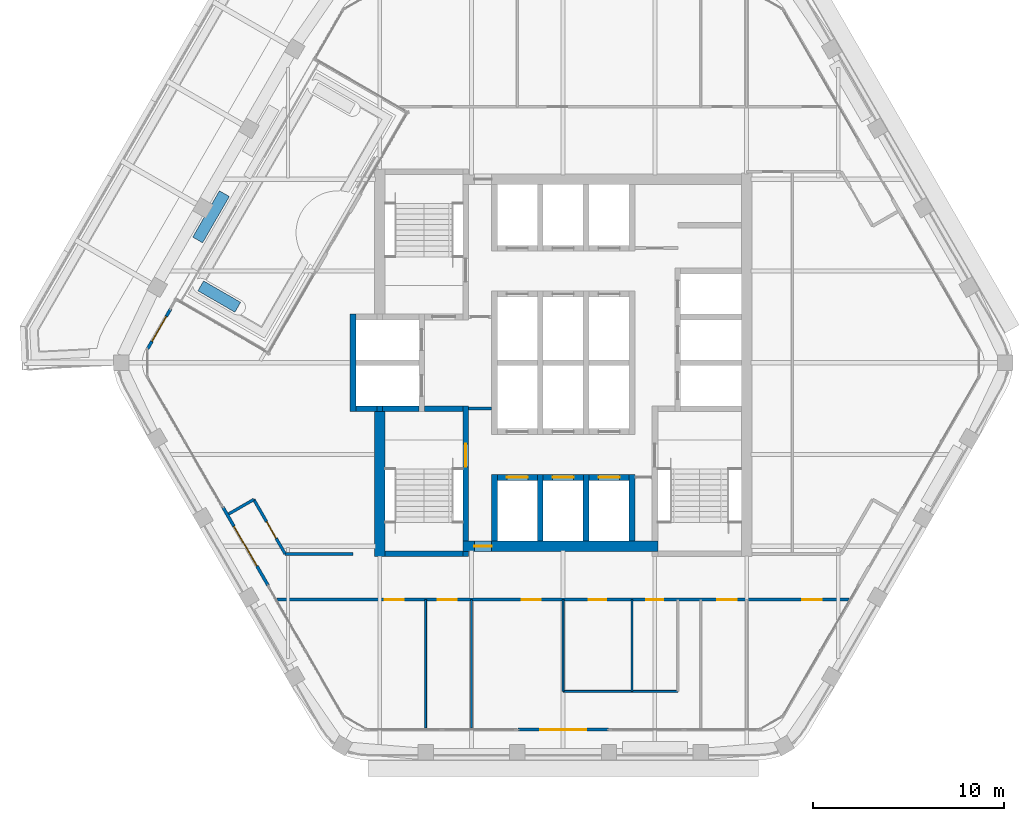
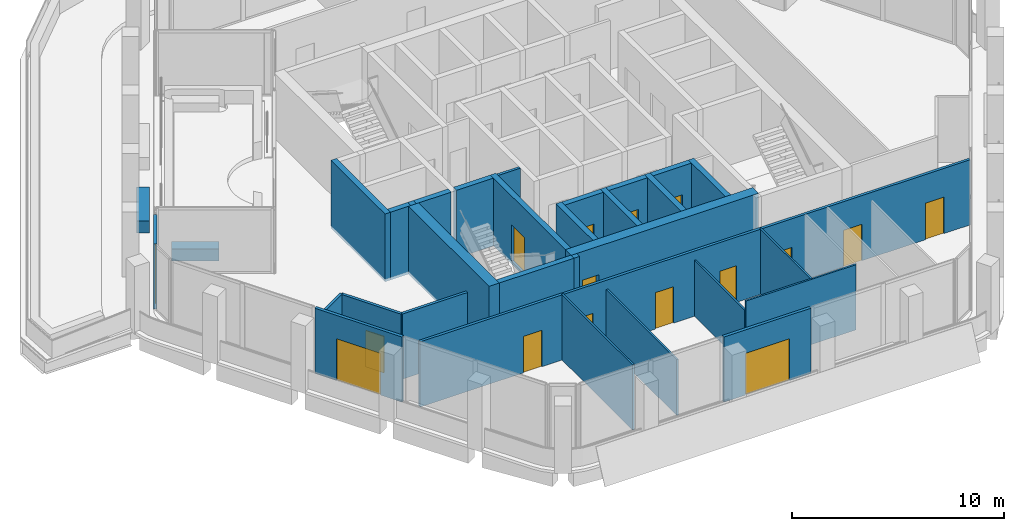
# One storey, part 10 of 16: 32 walls, 16 doors, 16 openings.
"""IFC4 building model written with IfcOpenShell, lengths in metres."""

from ifc_helpers import new_model, si_unit, direction, frame, frame_2d, origin, place, context, subcontext, project, spatial, rectangle, extrude, material, layer, layer_set, type_object, element, fill, save


model = new_model("IFC4")

# Units and contexts
model_context = context("Model", 3, precision=1e-05, world=origin(), true_north=direction((0.0, 1.0)))
body_context = subcontext(model_context, "Body", "Model", "MODEL_VIEW")
ifc_project = project(units=[si_unit("LENGTHUNIT", "METRE"), si_unit("AREAUNIT", "SQUARE_METRE"), si_unit("VOLUMEUNIT", "CUBIC_METRE"), si_unit("PLANEANGLEUNIT", "RADIAN"), si_unit("MASSUNIT", "GRAM", prefix="KILO")], contexts=[model_context])

# Site, building, storey
site_placement = place(None, origin())
site = spatial("IfcSite", under=ifc_project, at=site_placement, CompositionType="ELEMENT")
building_placement = place(site_placement, origin())
building = spatial("IfcBuilding", under=site, at=building_placement, Name="Kolab Exchange Tower", CompositionType="ELEMENT")
storey_placement = place(building_placement, frame((0.0, 0.0, 254.0)))
storey = spatial("IfcBuildingStorey", under=building, at=storey_placement, Name="L56", CompositionType="ELEMENT", Elevation=254.0)

# Wall, opening, door
ifc_material_1 = material(Name="Concrete C50/60", Category="concrete")
ifc_layer_1 = layer(ifc_material_1, 0.550048828125)
ifc_layer_set_1 = layer_set([ifc_layer_1], Name="Concrete C50/60")
wall_type_1 = type_object("IfcWallType", Name="CORE WALL 550 C50/60", PredefinedType="SHEAR", material=ifc_layer_set_1)
wall_1_placement = place(storey_placement, frame((-5.25, -9.60009765625, -0.14990234375), z_axis=(0.0, 0.0, 1.0), x_axis=(1.0, 0.0, 0.0)))
wall_1 = element("IfcWall", 1, at=wall_1_placement, inside=storey, type_object=wall_type_1, Name="wall/L56/core/002", PredefinedType="SHEAR", context=body_context, shape_type="SweptSolid", body=[
    extrude(rectangle(XDim=10.199951171875, YDim=0.550048828125, at=frame_2d((5.10009765625, 0.0))), origin(), (0.0, 0.0, 1.0), 3.89990234375),
])
opening_1_placement = place(wall_1_placement, frame((0.60009765625, 0.0, 0.14990234375)))
opening_1 = element("IfcOpeningElement", 2, at=opening_1_placement, cuts=wall_1, Name="Opening D6-297", PredefinedType="OPENING", context=body_context, shape_type="SweptSolid", body=[
    extrude(rectangle(XDim=0.89990234375, YDim=2.10009765625, at=frame_2d((0.449951171875, 1.050048828125))), frame((0.0, 0.28515625, 0.0), z_axis=(0.0, -1.0, 0.0), x_axis=(1.0, 0.0, 0.0)), (0.0, 0.0, 1.0), 0.570068359375),
])
ifc_material_2 = material(Name="Steel S235", Category="steel")
door_type_1 = type_object("IfcDoorType", Name="CORE DOOR 900 EI 120", OperationType="SINGLE_SWING_LEFT", PredefinedType="DOOR", material=ifc_material_2)
door_1_placement = place(opening_1_placement, origin())
door_1 = element("IfcDoor", 3, at=door_1_placement, inside=storey, type_object=door_type_1, Name="Core lobby door", OperationType="SINGLE_SWING_RIGHT", OverallHeight=2.10009765625, OverallWidth=0.89990234375, PredefinedType="DOOR", context=body_context, shape_type="SweptSolid", body=[
    extrude(rectangle(XDim=0.89990234375, YDim=2.10009765625, at=frame_2d((0.449951171875, 1.050048828125))), frame((0.0, 0.02490234375, 0.0), z_axis=(0.0, -1.0, 0.0), x_axis=(1.0, 0.0, 0.0)), (0.0, 0.0, 1.0), 0.050048828125),
])
fill(opening_1, door_1)

# Wall
wall_2_placement = place(storey_placement, frame((-9.60009765625, -10.14990234375, -0.14990234375), z_axis=(0.0, 0.0, 1.0), x_axis=(0.0, 1.0, 0.0)))
element("IfcWall", 4, at=wall_2_placement, inside=storey, type_object=wall_type_1, Name="wall/L56/core/034", PredefinedType="SHEAR", context=body_context, shape_type="SweptSolid", body=[
    extrude(rectangle(XDim=7.599853515625, YDim=0.550048828125, at=frame_2d((3.7998046875, 0.0))), origin(), (0.0, 0.0, 1.0), 3.89990234375),
])

# Wall, opening, door
ifc_material_3 = material(Name="Aluminium EN AW-6063 T6", Category="aluminium")
ifc_layer_2 = layer(ifc_material_3, 0.159912109375)
ifc_layer_set_2 = layer_set([ifc_layer_2], Name="Aluminium EN AW-6063 T6")
wall_type_2 = type_object("IfcWallType", Name="DOOR SURROUND WALL 160 ALUMINIUM FRAMED", PredefinedType="PARTITIONING", material=ifc_layer_set_2)
wall_3_placement = place(storey_placement, frame((2.3701171875, -19.20458984375, 0.0), z_axis=(0.0, 0.0, 1.0), x_axis=(-1.0, 0.0, 0.0)))
wall_3 = element("IfcWall", 5, at=wall_3_placement, inside=storey, type_object=wall_type_2, Name="Door surround wall", PredefinedType="PARTITIONING", context=body_context, shape_type="SweptSolid", body=[
    extrude(rectangle(XDim=4.740234375, YDim=0.159912109375, at=frame_2d((2.3701171875, 0.0))), origin(), (0.0, 0.0, 1.0), 3.75),
])
opening_2_placement = place(wall_3_placement, frame((1.169921875, 0.0, 0.0)))
opening_2 = element("IfcOpeningElement", 6, at=opening_2_placement, cuts=wall_3, Name="Opening GD1-092", PredefinedType="OPENING", context=body_context, shape_type="SweptSolid", body=[
    extrude(rectangle(XDim=2.39990234375, YDim=2.39990234375, at=frame_2d((1.199951171875, 1.199951171875))), frame((0.0, 0.08984375, 0.0), z_axis=(0.0, -1.0, 0.0), x_axis=(1.0, 0.0, 0.0)), (0.0, 0.0, 1.0), 0.179931640625),
])
door_type_2 = type_object("IfcDoorType", Name="LOGGIA SLIDING GLASS DOOR 2400 X 2400", OperationType="DOUBLE_DOOR_SINGLE_SWING", PredefinedType="DOOR", material=ifc_material_3)
door_2_placement = place(opening_2_placement, origin())
door_2 = element("IfcDoor", 7, at=door_2_placement, inside=storey, type_object=door_type_2, Name="Loggia door", OperationType="DOUBLE_DOOR_SLIDING", OverallHeight=2.39990234375, OverallWidth=2.39990234375, PredefinedType="DOOR", context=body_context, shape_type="SweptSolid", body=[
    extrude(rectangle(XDim=2.39990234375, YDim=2.39990234375, at=frame_2d((1.199951171875, 1.199951171875))), frame((0.0, 0.02490234375, 0.0), z_axis=(0.0, -1.0, 0.0), x_axis=(1.0, 0.0, 0.0)), (0.0, 0.0, 1.0), 0.050048828125),
])
fill(opening_2, door_2)

wall_4_placement = place(storey_placement, frame((-15.44677734375, -11.65478515625, 0.0), z_axis=(0.0, 0.0, 1.0), x_axis=(-0.499978080042, 0.866038058908, 0.0)))
wall_4 = element("IfcWall", 8, at=wall_4_placement, inside=storey, type_object=wall_type_2, Name="Door surround wall", PredefinedType="PARTITIONING", context=body_context, shape_type="SweptSolid", body=[
    extrude(rectangle(XDim=4.739990234375, YDim=0.159912109375, at=frame_2d((2.3701171875, 0.0))), origin(), (0.0, 0.0, 1.0), 3.75),
])
opening_3_placement = place(wall_4_placement, frame((1.169921875, 0.0, 0.0)))
opening_3 = element("IfcOpeningElement", 9, at=opening_3_placement, cuts=wall_4, Name="Opening GD1-093", PredefinedType="OPENING", context=body_context, shape_type="SweptSolid", body=[
    extrude(rectangle(XDim=2.39990234375, YDim=2.39990234375, at=frame_2d((1.199951171875, 1.199951171875))), frame((0.0, 0.08984375, 0.0), z_axis=(0.0, -1.0, 0.0), x_axis=(1.0, 0.0, 0.0)), (0.0, 0.0, 1.0), 0.179931640625),
])
door_3_placement = place(opening_3_placement, origin())
door_3 = element("IfcDoor", 10, at=door_3_placement, inside=storey, type_object=door_type_2, Name="Loggia door", OperationType="DOUBLE_DOOR_SLIDING", OverallHeight=2.39990234375, OverallWidth=2.39990234375, PredefinedType="DOOR", context=body_context, shape_type="SweptSolid", body=[
    extrude(rectangle(XDim=2.39990234375, YDim=2.39990234375, at=frame_2d((1.199951171875, 1.199951171875))), frame((0.0, 0.02490234375, 0.0), z_axis=(0.0, -1.0, 0.0), x_axis=(1.0, 0.0, 0.0)), (0.0, 0.0, 1.0), 0.050048828125),
])
fill(opening_3, door_3)

wall_5_placement = place(storey_placement, frame((-21.750732421875, 0.736083984375, 0.0), z_axis=(0.0, 0.0, 1.0), x_axis=(0.500077600433, 0.865980596518, 0.0)))
wall_5 = element("IfcWall", 11, at=wall_5_placement, inside=storey, type_object=wall_type_2, Name="Door surround wall", PredefinedType="PARTITIONING", context=body_context, shape_type="SweptSolid", body=[
    extrude(rectangle(XDim=2.39990234375, YDim=0.159912109375, at=frame_2d((1.199951171875, 0.0))), origin(), (0.0, 0.0, 1.0), 3.75),
])
opening_4_placement = place(wall_5_placement, frame((0.449951171875, 0.0, 0.0)))
opening_4 = element("IfcOpeningElement", 12, at=opening_4_placement, cuts=wall_5, Name="Opening GD2-012", PredefinedType="OPENING", context=body_context, shape_type="SweptSolid", body=[
    extrude(rectangle(XDim=1.5, YDim=2.39990234375, at=frame_2d((0.75, 1.199951171875))), frame((0.0, 0.08984375, 0.0), z_axis=(0.0, -1.0, 0.0), x_axis=(1.0, 0.0, 0.0)), (0.0, 0.0, 1.0), 0.179931640625),
])
door_type_3 = type_object("IfcDoorType", Name="LOGGIA SLIDING GLASS DOOR 1500 X 2400", OperationType="SLIDING_TO_LEFT", PredefinedType="DOOR", material=ifc_material_3)
door_4_placement = place(opening_4_placement, origin())
door_4 = element("IfcDoor", 13, at=door_4_placement, inside=storey, type_object=door_type_3, Name="Loggia door", OperationType="DOUBLE_DOOR_SLIDING", OverallHeight=2.39990234375, OverallWidth=1.5, PredefinedType="DOOR", context=body_context, shape_type="SweptSolid", body=[
    extrude(rectangle(XDim=1.5, YDim=2.39990234375, at=frame_2d((0.75, 1.199951171875))), frame((0.0, 0.02490234375, 0.0), z_axis=(0.0, -1.0, 0.0), x_axis=(1.0, 0.0, 0.0)), (0.0, 0.0, 1.0), 0.050048828125),
])
fill(opening_4, door_4)

ifc_layer_3 = layer(ifc_material_1, 0.300048828125)
ifc_layer_set_3 = layer_set([ifc_layer_3], Name="Concrete C50/60")
wall_type_3 = type_object("IfcWallType", Name="LIFT SHAFT WALL 300 C50/60", PredefinedType="STANDARD", material=ifc_layer_set_3)
wall_6_placement = place(storey_placement, frame((-3.449951171875, -6.0, -0.14990234375), z_axis=(0.0, 0.0, 1.0), x_axis=(1.0, 0.0, 0.0)))
wall_6 = element("IfcWall", 14, at=wall_6_placement, inside=storey, type_object=wall_type_3, Name="wall/L56/core/003", PredefinedType="STANDARD", context=body_context, shape_type="SweptSolid", body=[
    extrude(rectangle(XDim=2.099853515625, YDim=0.300048828125, at=frame_2d((1.0498046875, 0.0))), origin(), (0.0, 0.0, 1.0), 3.89990234375),
])
opening_5_placement = place(wall_6_placement, frame((0.5, 0.0, 0.14990234375)))
opening_5 = element("IfcOpeningElement", 15, at=opening_5_placement, cuts=wall_6, Name="Opening LD1-110", PredefinedType="OPENING", context=body_context, shape_type="SweptSolid", body=[
    extrude(rectangle(XDim=1.10009765625, YDim=2.10009765625, at=frame_2d((0.550048828125, 1.050048828125))), frame((0.0, 0.16015625, 0.0), z_axis=(0.0, -1.0, 0.0), x_axis=(1.0, 0.0, 0.0)), (0.0, 0.0, 1.0), 0.320068359375),
])
ifc_material_4 = material(Name="Stainless steel 316", Category="steel")
door_type_4 = type_object("IfcDoorType", Name="LANDING DOOR 1100 PASSENGER", OperationType="DOUBLE_DOOR_SLIDING", PredefinedType="DOOR", material=ifc_material_4)
door_5_placement = place(opening_5_placement, origin())
door_5 = element("IfcDoor", 16, at=door_5_placement, inside=storey, type_object=door_type_4, Name="Landing door HR10", OperationType="DOUBLE_DOOR_SLIDING", OverallHeight=2.10009765625, OverallWidth=1.10009765625, PredefinedType="DOOR", context=body_context, shape_type="SweptSolid", body=[
    extrude(rectangle(XDim=1.10009765625, YDim=2.10009765625, at=frame_2d((0.550048828125, 1.050048828125))), frame((0.0, 0.02490234375, 0.0), z_axis=(0.0, -1.0, 0.0), x_axis=(1.0, 0.0, 0.0)), (0.0, 0.0, 1.0), 0.050048828125),
])
fill(opening_5, door_5)

wall_7_placement = place(storey_placement, frame((-1.050048828125, -6.0, -0.14990234375), z_axis=(0.0, 0.0, 1.0), x_axis=(1.0, 0.0, 0.0)))
wall_7 = element("IfcWall", 17, at=wall_7_placement, inside=storey, type_object=wall_type_3, Name="wall/L56/core/004", PredefinedType="STANDARD", context=body_context, shape_type="SweptSolid", body=[
    extrude(rectangle(XDim=2.10009765625, YDim=0.300048828125, at=frame_2d((1.050048828125, 0.0))), origin(), (0.0, 0.0, 1.0), 3.89990234375),
])
opening_6_placement = place(wall_7_placement, frame((0.5, 0.0, 0.14990234375)))
opening_6 = element("IfcOpeningElement", 18, at=opening_6_placement, cuts=wall_7, Name="Opening LD1-111", PredefinedType="OPENING", context=body_context, shape_type="SweptSolid", body=[
    extrude(rectangle(XDim=1.10009765625, YDim=2.10009765625, at=frame_2d((0.550048828125, 1.050048828125))), frame((0.0, 0.16015625, 0.0), z_axis=(0.0, -1.0, 0.0), x_axis=(1.0, 0.0, 0.0)), (0.0, 0.0, 1.0), 0.320068359375),
])
door_6_placement = place(opening_6_placement, origin())
door_6 = element("IfcDoor", 19, at=door_6_placement, inside=storey, type_object=door_type_4, Name="Landing door HR11", OperationType="DOUBLE_DOOR_SLIDING", OverallHeight=2.10009765625, OverallWidth=1.10009765625, PredefinedType="DOOR", context=body_context, shape_type="SweptSolid", body=[
    extrude(rectangle(XDim=1.10009765625, YDim=2.10009765625, at=frame_2d((0.550048828125, 1.050048828125))), frame((0.0, 0.02490234375, 0.0), z_axis=(0.0, -1.0, 0.0), x_axis=(1.0, 0.0, 0.0)), (0.0, 0.0, 1.0), 0.050048828125),
])
fill(opening_6, door_6)

wall_8_placement = place(storey_placement, frame((1.35009765625, -6.0, -0.14990234375), z_axis=(0.0, 0.0, 1.0), x_axis=(1.0, 0.0, 0.0)))
wall_8 = element("IfcWall", 20, at=wall_8_placement, inside=storey, type_object=wall_type_3, Name="wall/L56/core/005", PredefinedType="STANDARD", context=body_context, shape_type="SweptSolid", body=[
    extrude(rectangle(XDim=2.099853515625, YDim=0.300048828125, at=frame_2d((1.0498046875, 0.0))), origin(), (0.0, 0.0, 1.0), 3.89990234375),
])
opening_7_placement = place(wall_8_placement, frame((0.5, 0.0, 0.14990234375)))
opening_7 = element("IfcOpeningElement", 21, at=opening_7_placement, cuts=wall_8, Name="Opening LD1-112", PredefinedType="OPENING", context=body_context, shape_type="SweptSolid", body=[
    extrude(rectangle(XDim=1.10009765625, YDim=2.10009765625, at=frame_2d((0.550048828125, 1.050048828125))), frame((0.0, 0.16015625, 0.0), z_axis=(0.0, -1.0, 0.0), x_axis=(1.0, 0.0, 0.0)), (0.0, 0.0, 1.0), 0.320068359375),
])
door_7_placement = place(opening_7_placement, origin())
door_7 = element("IfcDoor", 22, at=door_7_placement, inside=storey, type_object=door_type_4, Name="Landing door HR12", OperationType="DOUBLE_DOOR_SLIDING", OverallHeight=2.10009765625, OverallWidth=1.10009765625, PredefinedType="DOOR", context=body_context, shape_type="SweptSolid", body=[
    extrude(rectangle(XDim=1.10009765625, YDim=2.10009765625, at=frame_2d((0.550048828125, 1.050048828125))), frame((0.0, 0.02490234375, 0.0), z_axis=(0.0, -1.0, 0.0), x_axis=(1.0, 0.0, 0.0)), (0.0, 0.0, 1.0), 0.050048828125),
])
fill(opening_7, door_7)

# Walls
wall_9_placement = place(storey_placement, frame((-10.85009765625, -2.39990234375, -0.14990234375), z_axis=(0.0, 0.0, 1.0), x_axis=(1.0, 0.0, 0.0)))
element("IfcWall", 23, at=wall_9_placement, inside=storey, type_object=wall_type_3, Name="wall/L56/core/009", PredefinedType="STANDARD", context=body_context, shape_type="SweptSolid", body=[
    extrude(rectangle(XDim=1.10009765625, YDim=0.300048828125, at=frame_2d((0.550048828125, 0.0))), origin(), (0.0, 0.0, 1.0), 3.89990234375),
])
wall_10_placement = place(storey_placement, frame((-11.0, -2.550048828125, -0.14990234375), z_axis=(0.0, 0.0, 1.0), x_axis=(0.0, 1.0, 0.0)))
element("IfcWall", 24, at=wall_10_placement, inside=storey, type_object=wall_type_3, Name="wall/L56/core/033", PredefinedType="STANDARD", context=body_context, shape_type="SweptSolid", body=[
    extrude(rectangle(XDim=5.10009765625, YDim=0.300048828125, at=frame_2d((2.550048828125, 0.0))), origin(), (0.0, 0.0, 1.0), 3.89990234375),
])
for number, where, z_axis, x_axis, name in (
    (25, (-3.60009765625, -9.324951171875, -0.14990234375), (0.0, 0.0, 1.0), (0.0, 1.0, 0.0), "wall/L56/core/043"),
    (26, (-1.199951171875, -9.324951171875, -0.14990234375), (0.0, 0.0, 1.0), (0.0, 1.0, 0.0), "wall/L56/core/046"),
    (27, (1.199951171875, -9.324951171875, -0.14990234375), (0.0, 0.0, 1.0), (0.0, 1.0, 0.0), "wall/L56/core/049"),
    (28, (3.60009765625, -9.324951171875, -0.14990234375), (0.0, 0.0, 1.0), (0.0, 1.0, 0.0), "wall/L56/core/052"),
):
    element("IfcWall", number, at=place(storey_placement, frame(where, z_axis=z_axis, x_axis=x_axis)), inside=storey, type_object=wall_type_3, Name=name, PredefinedType="STANDARD", context=body_context, shape_type="SweptSolid", body=[
        extrude(rectangle(XDim=3.474853515625, YDim=0.300048828125, at=frame_2d((1.7373046875, 0.0))), origin(), (0.0, 0.0, 1.0), 3.89990234375),
    ])
ifc_material_5 = material(Name="Gypsum board", Category="gypsum")
ifc_layer_4 = layer(ifc_material_5, 0.10009765625)
ifc_layer_set_4 = layer_set([ifc_layer_4], Name="Gypsum board")
wall_type_4 = type_object("IfcWallType", Name="PARTITION 100", PredefinedType="PARTITIONING", material=ifc_layer_set_4)
wall_11_placement = place(storey_placement, frame((3.60009765625, -17.199951171875, 0.0), z_axis=(0.0, 0.0, 1.0), x_axis=(0.0, 1.0, 0.0)))
element("IfcWall", 29, at=wall_11_placement, inside=storey, type_object=wall_type_4, Name="Partition 006", PredefinedType="PARTITIONING", context=body_context, shape_type="SweptSolid", body=[
    extrude(rectangle(XDim=4.800048828125, YDim=0.10009765625, at=frame_2d((2.39990234375, 0.0))), origin(), (0.0, 0.0, 1.0), 3.75),
])
wall_12_placement = place(storey_placement, frame((0.0, -17.199951171875, 0.0), z_axis=(0.0, 0.0, 1.0), x_axis=(0.0, 1.0, 0.0)))
element("IfcWall", 30, at=wall_12_placement, inside=storey, type_object=wall_type_4, Name="Partition 007", PredefinedType="PARTITIONING", context=body_context, shape_type="SweptSolid", body=[
    extrude(rectangle(XDim=4.800048828125, YDim=0.10009765625, at=frame_2d((2.39990234375, 0.0))), origin(), (0.0, 0.0, 1.0), 3.217041015625),
])
wall_13_placement = place(storey_placement, frame((-4.800048828125, -19.114501953125, 0.0), z_axis=(0.0, 0.0, 1.0), x_axis=(0.0, 1.0, 0.0)))
element("IfcWall", 31, at=wall_13_placement, inside=storey, type_object=wall_type_4, Name="Partition 009", PredefinedType="PARTITIONING", context=body_context, shape_type="SweptSolid", body=[
    extrude(rectangle(XDim=6.714599609375, YDim=0.10009765625, at=frame_2d((3.357421875, 0.0))), origin(), (0.0, 0.0, 1.0), 3.217041015625),
])
wall_14_placement = place(storey_placement, frame((-7.199951171875, -19.114501953125, 0.0), z_axis=(0.0, 0.0, 1.0), x_axis=(0.0, 1.0, 0.0)))
element("IfcWall", 32, at=wall_14_placement, inside=storey, type_object=wall_type_4, Name="Partition 010", PredefinedType="PARTITIONING", context=body_context, shape_type="SweptSolid", body=[
    extrude(rectangle(XDim=6.714599609375, YDim=0.10009765625, at=frame_2d((3.357421875, 0.0))), origin(), (0.0, 0.0, 1.0), 3.75),
])
wall_15_placement = place(storey_placement, frame((0.0, -17.199951171875, 0.0), z_axis=(0.0, 0.0, 1.0), x_axis=(1.0, 0.0, 0.0)))
element("IfcWall", 33, at=wall_15_placement, inside=storey, type_object=wall_type_4, Name="Partition 017", PredefinedType="PARTITIONING", context=body_context, shape_type="SweptSolid", body=[
    extrude(rectangle(XDim=6.0, YDim=0.10009765625, at=frame_2d((3.0, 0.0))), origin(), (0.0, 0.0, 1.0), 3.75),
])

# Wall, opening, door
ifc_layer_5 = layer(ifc_material_5, 0.14990234375)
ifc_layer_set_5 = layer_set([ifc_layer_5], Name="Gypsum board")
wall_type_5 = type_object("IfcWallType", Name="PARTITION 150 FIRE-RATED", PredefinedType="PARTITIONING", material=ifc_layer_set_5)
wall_16_placement = place(storey_placement, frame((-16.196044921875, -7.15673828125, 0.0), z_axis=(0.0, 0.0, 1.0), x_axis=(0.499954196102, -0.866051847062, 0.0)))
wall_16 = element("IfcWall", 34, at=wall_16_placement, inside=storey, type_object=wall_type_5, Name="Partition 011", PredefinedType="PARTITIONING", context=body_context, shape_type="SweptSolid", body=[
    extrude(rectangle(XDim=3.282958984375, YDim=0.14990234375, at=frame_2d((1.6416015625, 0.0))), origin(), (0.0, 0.0, 1.0), 3.75),
])
opening_8_placement = place(wall_16_placement, frame((1.341552734375, 0.0, 0.0)))
opening_8 = element("IfcOpeningElement", 35, at=opening_8_placement, cuts=wall_16, Name="Opening D1-702", PredefinedType="OPENING", context=body_context, shape_type="SweptSolid", body=[
    extrude(rectangle(XDim=1.0, YDim=2.10009765625, at=frame_2d((0.5, 1.050048828125))), frame((0.0, 0.0849609375, 0.0), z_axis=(0.0, -1.0, 0.0), x_axis=(1.0, 0.0, 0.0)), (0.0, 0.0, 1.0), 0.169921875),
])
door_type_5 = type_object("IfcDoorType", Name="FLUSH DOOR 1000 FD60", OperationType="SINGLE_SWING_LEFT", PredefinedType="DOOR", material=ifc_material_2)
door_8_placement = place(opening_8_placement, origin())
door_8 = element("IfcDoor", 36, at=door_8_placement, inside=storey, type_object=door_type_5, Name="Door L56-042", OperationType="SINGLE_SWING_RIGHT", OverallHeight=2.10009765625, OverallWidth=1.0, PredefinedType="DOOR", context=body_context, shape_type="SweptSolid", body=[
    extrude(rectangle(XDim=1.0, YDim=2.10009765625, at=frame_2d((0.5, 1.050048828125))), frame((0.0, 0.02490234375, 0.0), z_axis=(0.0, -1.0, 0.0), x_axis=(1.0, 0.0, 0.0)), (0.0, 0.0, 1.0), 0.050048828125),
])
fill(opening_8, door_8)

# Wall
wall_17_placement = place(storey_placement, frame((-17.512451171875, -7.9169921875, 0.0), z_axis=(0.0, 0.0, 1.0), x_axis=(0.865960906633, 0.500111695708, 0.0)))
element("IfcWall", 37, at=wall_17_placement, inside=storey, type_object=wall_type_5, Name="Partition 016", PredefinedType="PARTITIONING", context=body_context, shape_type="SweptSolid", body=[
    extrude(rectangle(XDim=1.520263671875, YDim=0.14990234375, at=frame_2d((0.76025390625, 0.0))), origin(), (0.0, 0.0, 1.0), 3.75),
])

# Wall, openings, doors
wall_18_placement = place(storey_placement, frame((-14.97021484375, -12.39990234375, 0.0), z_axis=(0.0, 0.0, 1.0), x_axis=(1.0, 0.0, 0.0)))
wall_18 = element("IfcWall", 38, at=wall_18_placement, inside=storey, type_object=wall_type_5, Name="Partition 018", PredefinedType="PARTITIONING", context=body_context, shape_type="SweptSolid", body=[
    extrude(rectangle(XDim=29.9404296875, YDim=0.14990234375, at=frame_2d((14.97021484375, 0.0))), origin(), (0.0, 0.0, 1.0), 3.75),
])
opening_9_placement = place(wall_18_placement, frame((16.3203125, 0.0, 0.0)))
opening_9 = element("IfcOpeningElement", 39, at=opening_9_placement, cuts=wall_18, Name="Opening D3-082", PredefinedType="OPENING", context=body_context, shape_type="SweptSolid", body=[
    extrude(rectangle(XDim=0.89990234375, YDim=2.10009765625, at=frame_2d((0.449951171875, 1.050048828125))), frame((0.0, 0.0849609375, 0.0), z_axis=(0.0, -1.0, 0.0), x_axis=(1.0, 0.0, 0.0)), (0.0, 0.0, 1.0), 0.169921875),
])
opening_10_placement = place(wall_18_placement, frame((19.3203125, 0.0, 0.0)))
opening_10 = element("IfcOpeningElement", 40, at=opening_10_placement, cuts=wall_18, Name="Opening D3-083", PredefinedType="OPENING", context=body_context, shape_type="SweptSolid", body=[
    extrude(rectangle(XDim=0.89990234375, YDim=2.10009765625, at=frame_2d((0.449951171875, 1.050048828125))), frame((0.0, 0.0849609375, 0.0), z_axis=(0.0, -1.0, 0.0), x_axis=(1.0, 0.0, 0.0)), (0.0, 0.0, 1.0), 0.169921875),
])
opening_11_placement = place(wall_18_placement, frame((5.62890625, 0.0, 0.0)))
opening_11 = element("IfcOpeningElement", 41, at=opening_11_placement, cuts=wall_18, Name="Opening D1-696", PredefinedType="OPENING", context=body_context, shape_type="SweptSolid", body=[
    extrude(rectangle(XDim=1.0, YDim=2.10009765625, at=frame_2d((0.5, 1.050048828125))), frame((0.0, 0.0849609375, 0.0), z_axis=(0.0, -1.0, 0.0), x_axis=(1.0, 0.0, 0.0)), (0.0, 0.0, 1.0), 0.169921875),
])
opening_12_placement = place(wall_18_placement, frame((8.395263671875, 0.0, 0.0)))
opening_12 = element("IfcOpeningElement", 42, at=opening_12_placement, cuts=wall_18, Name="Opening D1-697", PredefinedType="OPENING", context=body_context, shape_type="SweptSolid", body=[
    extrude(rectangle(XDim=1.0, YDim=2.10009765625, at=frame_2d((0.5, 1.050048828125))), frame((0.0, 0.0849609375, 0.0), z_axis=(0.0, -1.0, 0.0), x_axis=(1.0, 0.0, 0.0)), (0.0, 0.0, 1.0), 0.169921875),
])
opening_13_placement = place(wall_18_placement, frame((12.795166015625, 0.0, 0.0)))
opening_13 = element("IfcOpeningElement", 43, at=opening_13_placement, cuts=wall_18, Name="Opening D1-698", PredefinedType="OPENING", context=body_context, shape_type="SweptSolid", body=[
    extrude(rectangle(XDim=1.0, YDim=2.10009765625, at=frame_2d((0.5, 1.050048828125))), frame((0.0, 0.0849609375, 0.0), z_axis=(0.0, -1.0, 0.0), x_axis=(1.0, 0.0, 0.0)), (0.0, 0.0, 1.0), 0.169921875),
])
opening_14_placement = place(wall_18_placement, frame((23.045166015625, 0.0, 0.0)))
opening_14 = element("IfcOpeningElement", 44, at=opening_14_placement, cuts=wall_18, Name="Opening D1-699", PredefinedType="OPENING", context=body_context, shape_type="SweptSolid", body=[
    extrude(rectangle(XDim=1.0, YDim=2.10009765625, at=frame_2d((0.5, 1.050048828125))), frame((0.0, 0.0849609375, 0.0), z_axis=(0.0, -1.0, 0.0), x_axis=(1.0, 0.0, 0.0)), (0.0, 0.0, 1.0), 0.169921875),
])
opening_15_placement = place(wall_18_placement, frame((27.49658203125, 0.0, 0.0)))
opening_15 = element("IfcOpeningElement", 45, at=opening_15_placement, cuts=wall_18, Name="Opening D1-700", PredefinedType="OPENING", context=body_context, shape_type="SweptSolid", body=[
    extrude(rectangle(XDim=1.0, YDim=2.10009765625, at=frame_2d((0.5, 1.050048828125))), frame((0.0, 0.0849609375, 0.0), z_axis=(0.0, -1.0, 0.0), x_axis=(1.0, 0.0, 0.0)), (0.0, 0.0, 1.0), 0.169921875),
])
door_9_placement = place(opening_11_placement, frame((1.0, 0.0, 0.0), z_axis=(0.0, 0.0, 1.0), x_axis=(-1.0, 0.0, 0.0)))
door_9 = element("IfcDoor", 46, at=door_9_placement, inside=storey, type_object=door_type_5, Name="Door L56-035", OperationType="SINGLE_SWING_RIGHT", OverallHeight=2.10009765625, OverallWidth=1.0, PredefinedType="DOOR", context=body_context, shape_type="SweptSolid", body=[
    extrude(rectangle(XDim=1.0, YDim=2.10009765625, at=frame_2d((0.5, 1.050048828125))), frame((0.0, 0.02490234375, 0.0), z_axis=(0.0, -1.0, 0.0), x_axis=(1.0, 0.0, 0.0)), (0.0, 0.0, 1.0), 0.050048828125),
])
fill(opening_11, door_9)
door_10_placement = place(opening_12_placement, frame((1.0, 0.0, 0.0), z_axis=(0.0, 0.0, 1.0), x_axis=(-1.0, 0.0, 0.0)))
door_10 = element("IfcDoor", 47, at=door_10_placement, inside=storey, type_object=door_type_5, Name="Door L56-036", OperationType="SINGLE_SWING_LEFT", OverallHeight=2.10009765625, OverallWidth=1.0, PredefinedType="DOOR", context=body_context, shape_type="SweptSolid", body=[
    extrude(rectangle(XDim=1.0, YDim=2.10009765625, at=frame_2d((0.5, 1.050048828125))), frame((0.0, 0.02490234375, 0.0), z_axis=(0.0, -1.0, 0.0), x_axis=(1.0, 0.0, 0.0)), (0.0, 0.0, 1.0), 0.050048828125),
])
fill(opening_12, door_10)
door_11_placement = place(opening_13_placement, frame((1.0, 0.0, 0.0), z_axis=(0.0, 0.0, 1.0), x_axis=(-1.0, 0.0, 0.0)))
door_11 = element("IfcDoor", 48, at=door_11_placement, inside=storey, type_object=door_type_5, Name="Door L56-037", OperationType="SINGLE_SWING_RIGHT", OverallHeight=2.10009765625, OverallWidth=1.0, PredefinedType="DOOR", context=body_context, shape_type="SweptSolid", body=[
    extrude(rectangle(XDim=1.0, YDim=2.10009765625, at=frame_2d((0.5, 1.050048828125))), frame((0.0, 0.02490234375, 0.0), z_axis=(0.0, -1.0, 0.0), x_axis=(1.0, 0.0, 0.0)), (0.0, 0.0, 1.0), 0.050048828125),
])
fill(opening_13, door_11)
door_12_placement = place(opening_14_placement, frame((1.0, 0.0, 0.0), z_axis=(0.0, 0.0, 1.0), x_axis=(-1.0, 0.0, 0.0)))
door_12 = element("IfcDoor", 49, at=door_12_placement, inside=storey, type_object=door_type_5, Name="Door L56-038", OperationType="SINGLE_SWING_RIGHT", OverallHeight=2.10009765625, OverallWidth=1.0, PredefinedType="DOOR", context=body_context, shape_type="SweptSolid", body=[
    extrude(rectangle(XDim=1.0, YDim=2.10009765625, at=frame_2d((0.5, 1.050048828125))), frame((0.0, 0.02490234375, 0.0), z_axis=(0.0, -1.0, 0.0), x_axis=(1.0, 0.0, 0.0)), (0.0, 0.0, 1.0), 0.050048828125),
])
fill(opening_14, door_12)
door_13_placement = place(opening_15_placement, frame((1.0, 0.0, 0.0), z_axis=(0.0, 0.0, 1.0), x_axis=(-1.0, 0.0, 0.0)))
door_13 = element("IfcDoor", 50, at=door_13_placement, inside=storey, type_object=door_type_5, Name="Door L56-039", OperationType="SINGLE_SWING_RIGHT", OverallHeight=2.10009765625, OverallWidth=1.0, PredefinedType="DOOR", context=body_context, shape_type="SweptSolid", body=[
    extrude(rectangle(XDim=1.0, YDim=2.10009765625, at=frame_2d((0.5, 1.050048828125))), frame((0.0, 0.02490234375, 0.0), z_axis=(0.0, -1.0, 0.0), x_axis=(1.0, 0.0, 0.0)), (0.0, 0.0, 1.0), 0.050048828125),
])
fill(opening_15, door_13)
door_type_6 = type_object("IfcDoorType", Name="FLUSH DOOR 900 FD60", OperationType="SINGLE_SWING_LEFT", PredefinedType="DOOR", material=ifc_material_2)
door_14_placement = place(opening_9_placement, frame((0.89990234375, 0.0, 0.0), z_axis=(0.0, 0.0, 1.0), x_axis=(-1.0, 0.0, 0.0)))
door_14 = element("IfcDoor", 51, at=door_14_placement, inside=storey, type_object=door_type_6, Name="Door L56-033", OperationType="SINGLE_SWING_LEFT", OverallHeight=2.10009765625, OverallWidth=0.89990234375, PredefinedType="DOOR", context=body_context, shape_type="SweptSolid", body=[
    extrude(rectangle(XDim=0.89990234375, YDim=2.10009765625, at=frame_2d((0.449951171875, 1.050048828125))), frame((0.0, 0.02490234375, 0.0), z_axis=(0.0, -1.0, 0.0), x_axis=(1.0, 0.0, 0.0)), (0.0, 0.0, 1.0), 0.050048828125),
])
fill(opening_9, door_14)
door_15_placement = place(opening_10_placement, frame((0.89990234375, 0.0, 0.0), z_axis=(0.0, 0.0, 1.0), x_axis=(-1.0, 0.0, 0.0)))
door_15 = element("IfcDoor", 52, at=door_15_placement, inside=storey, type_object=door_type_6, Name="Door L56-034", OperationType="SINGLE_SWING_LEFT", OverallHeight=2.10009765625, OverallWidth=0.89990234375, PredefinedType="DOOR", context=body_context, shape_type="SweptSolid", body=[
    extrude(rectangle(XDim=0.89990234375, YDim=2.10009765625, at=frame_2d((0.449951171875, 1.050048828125))), frame((0.0, 0.02490234375, 0.0), z_axis=(0.0, -1.0, 0.0), x_axis=(1.0, 0.0, 0.0)), (0.0, 0.0, 1.0), 0.050048828125),
])
fill(opening_10, door_15)

# Walls
wall_19_placement = place(storey_placement, frame((-14.5546875, -10.0, 0.0), z_axis=(0.0, 0.0, 1.0), x_axis=(1.0, 0.0, 0.0)))
element("IfcWall", 53, at=wall_19_placement, inside=storey, type_object=wall_type_5, Name="Partition 019", PredefinedType="PARTITIONING", context=body_context, shape_type="SweptSolid", body=[
    extrude(rectangle(XDim=3.5546875, YDim=0.14990234375, at=frame_2d((1.77734375, 0.0))), origin(), (0.0, 0.0, 1.0), 3.75),
])
wall_20_placement = place(storey_placement, frame((-4.949951171875, -2.39990234375, 0.0), z_axis=(0.0, 0.0, 1.0), x_axis=(1.0, 0.0, 0.0)))
element("IfcWall", 54, at=wall_20_placement, inside=storey, type_object=wall_type_5, Name="Fire partition", PredefinedType="PARTITIONING", context=body_context, shape_type="SweptSolid", body=[
    extrude(rectangle(XDim=1.199951171875, YDim=0.14990234375, at=frame_2d((0.60009765625, 0.0))), origin(), (0.0, 0.0, 1.0), 3.75),
])
ifc_material_6 = material(Name="Granite facing", Category="masonry")
ifc_layer_6 = layer(ifc_material_6, 0.0400390625)
ifc_material_7 = material(Name="Concrete C40/50 precast", Category="concrete")
ifc_layer_7 = layer(ifc_material_7, 0.56005859375)
ifc_layer_set_6 = layer_set([ifc_layer_6, ifc_layer_7], Name="Concrete C40/50 precast")
wall_type_6 = type_object("IfcWallType", Name="PLANTER BOX 600 X 700 SOIL DEPTH 550", PredefinedType="USERDEFINED", material=ifc_layer_set_6)
wall_21_placement = place(storey_placement, frame((-17.03369140625, 2.90625, 0.0), z_axis=(0.0, 0.0, 1.0), x_axis=(-0.866027664105, 0.49999608499, 0.0)))
element("IfcWall", 55, at=wall_21_placement, inside=storey, type_object=wall_type_6, Name="Planter", ObjectType="PLANTER", PredefinedType="USERDEFINED", context=body_context, shape_type="SweptSolid", body=[
    extrude(rectangle(XDim=2.23974609375, YDim=0.60009765625, at=frame_2d((1.119873046875, 0.0))), origin(), (0.0, 0.0, 1.0), 0.699951171875),
])
wall_22_placement = place(storey_placement, frame((-17.73388671875, 8.85302734375, 0.0), z_axis=(0.0, 0.0, 1.0), x_axis=(-0.500049511043, -0.865996816683, 0.0)))
element("IfcWall", 56, at=wall_22_placement, inside=storey, type_object=wall_type_6, Name="Planter", ObjectType="PLANTER", PredefinedType="USERDEFINED", context=body_context, shape_type="SweptSolid", body=[
    extrude(rectangle(XDim=2.800048828125, YDim=0.60009765625, at=frame_2d((1.39990234375, 0.0))), origin(), (0.0, 0.0, 1.0), 0.699951171875),
])
ifc_layer_8 = layer(ifc_material_1, 0.300048828125)
ifc_layer_set_7 = layer_set([ifc_layer_8], Name="Concrete C50/60")
wall_type_7 = type_object("IfcWallType", Name="STAIR ENCLOSURE WALL 300 C50/60", PredefinedType="STANDARD", material=ifc_layer_set_7)
wall_23_placement = place(storey_placement, frame((-9.324951171875, -10.0, -0.14990234375), z_axis=(0.0, 0.0, 1.0), x_axis=(1.0, 0.0, 0.0)))
element("IfcWall", 57, at=wall_23_placement, inside=storey, type_object=wall_type_7, Name="wall/L56/core/000", PredefinedType="STANDARD", context=body_context, shape_type="SweptSolid", body=[
    extrude(rectangle(XDim=4.074951171875, YDim=0.300048828125, at=frame_2d((2.03759765625, 0.0))), origin(), (0.0, 0.0, 1.0), 3.89990234375),
])
wall_24_placement = place(storey_placement, frame((-9.449951171875, -2.39990234375, -0.14990234375), z_axis=(0.0, 0.0, 1.0), x_axis=(1.0, 0.0, 0.0)))
element("IfcWall", 58, at=wall_24_placement, inside=storey, type_object=wall_type_7, Name="wall/L56/core/010", PredefinedType="STANDARD", context=body_context, shape_type="SweptSolid", body=[
    extrude(rectangle(XDim=1.89990234375, YDim=0.300048828125, at=frame_2d((0.949951171875, 0.0))), origin(), (0.0, 0.0, 1.0), 3.89990234375),
])
wall_25_placement = place(storey_placement, frame((-7.25, -2.39990234375, -0.14990234375), z_axis=(0.0, 0.0, 1.0), x_axis=(1.0, 0.0, 0.0)))
element("IfcWall", 59, at=wall_25_placement, inside=storey, type_object=wall_type_7, Name="wall/L56/core/011", PredefinedType="STANDARD", context=body_context, shape_type="SweptSolid", body=[
    extrude(rectangle(XDim=2.0, YDim=0.300048828125, at=frame_2d((1.0, 0.0))), origin(), (0.0, 0.0, 1.0), 3.89990234375),
])
wall_26_placement = place(storey_placement, frame((-9.60009765625, -2.550048828125, -0.14990234375), z_axis=(0.0, 0.0, 1.0), x_axis=(0.0, 1.0, 0.0)))
element("IfcWall", 60, at=wall_26_placement, inside=storey, type_object=wall_type_7, Name="wall/L56/core/035", PredefinedType="STANDARD", context=body_context, shape_type="SweptSolid", body=[
    extrude(rectangle(XDim=0.300048828125, YDim=0.300048828125, at=frame_2d((0.14990234375, 0.0))), origin(), (0.0, 0.0, 1.0), 3.89990234375),
])
wall_27_placement = place(storey_placement, frame((-5.10009765625, -10.14990234375, -0.14990234375), z_axis=(0.0, 0.0, 1.0), x_axis=(0.0, 1.0, 0.0)))
element("IfcWall", 61, at=wall_27_placement, inside=storey, type_object=wall_type_7, Name="wall/L56/core/039", PredefinedType="STANDARD", context=body_context, shape_type="SweptSolid", body=[
    extrude(rectangle(XDim=0.27490234375, YDim=0.300048828125, at=frame_2d((0.137451171875, 0.0))), origin(), (0.0, 0.0, 1.0), 3.89990234375),
])

# Wall, opening, door
wall_28_placement = place(storey_placement, frame((-5.10009765625, -9.324951171875, -0.14990234375), z_axis=(0.0, 0.0, 1.0), x_axis=(0.0, 1.0, 0.0)))
wall_28 = element("IfcWall", 62, at=wall_28_placement, inside=storey, type_object=wall_type_7, Name="wall/L56/core/040", PredefinedType="STANDARD", context=body_context, shape_type="SweptSolid", body=[
    extrude(rectangle(XDim=7.074951171875, YDim=0.300048828125, at=frame_2d((3.53759765625, 0.0))), origin(), (0.0, 0.0, 1.0), 3.89990234375),
])
opening_16_placement = place(wall_28_placement, frame((3.875, 0.0, 0.14990234375)))
opening_16 = element("IfcOpeningElement", 63, at=opening_16_placement, cuts=wall_28, Name="Opening D4-078", PredefinedType="OPENING", context=body_context, shape_type="SweptSolid", body=[
    extrude(rectangle(XDim=1.199951171875, YDim=2.10009765625, at=frame_2d((0.60009765625, 1.050048828125))), frame((0.0, 0.16015625, 0.0), z_axis=(0.0, -1.0, 0.0), x_axis=(1.0, 0.0, 0.0)), (0.0, 0.0, 1.0), 0.320068359375),
])
door_type_7 = type_object("IfcDoorType", Name="STAIR DOOR 1200 EI 120", OperationType="SINGLE_SWING_LEFT", PredefinedType="DOOR", material=ifc_material_2)
door_16_placement = place(opening_16_placement, origin())
door_16 = element("IfcDoor", 64, at=door_16_placement, inside=storey, type_object=door_type_7, Name="Stair 3 door", OperationType="SINGLE_SWING_RIGHT", OverallHeight=2.10009765625, OverallWidth=1.199951171875, PredefinedType="DOOR", context=body_context, shape_type="SweptSolid", body=[
    extrude(rectangle(XDim=1.199951171875, YDim=2.10009765625, at=frame_2d((0.60009765625, 1.050048828125))), frame((0.0, 0.02490234375, 0.0), z_axis=(0.0, -1.0, 0.0), x_axis=(1.0, 0.0, 0.0)), (0.0, 0.0, 1.0), 0.050048828125),
])
fill(opening_16, door_16)

save(model, "model.ifc")
